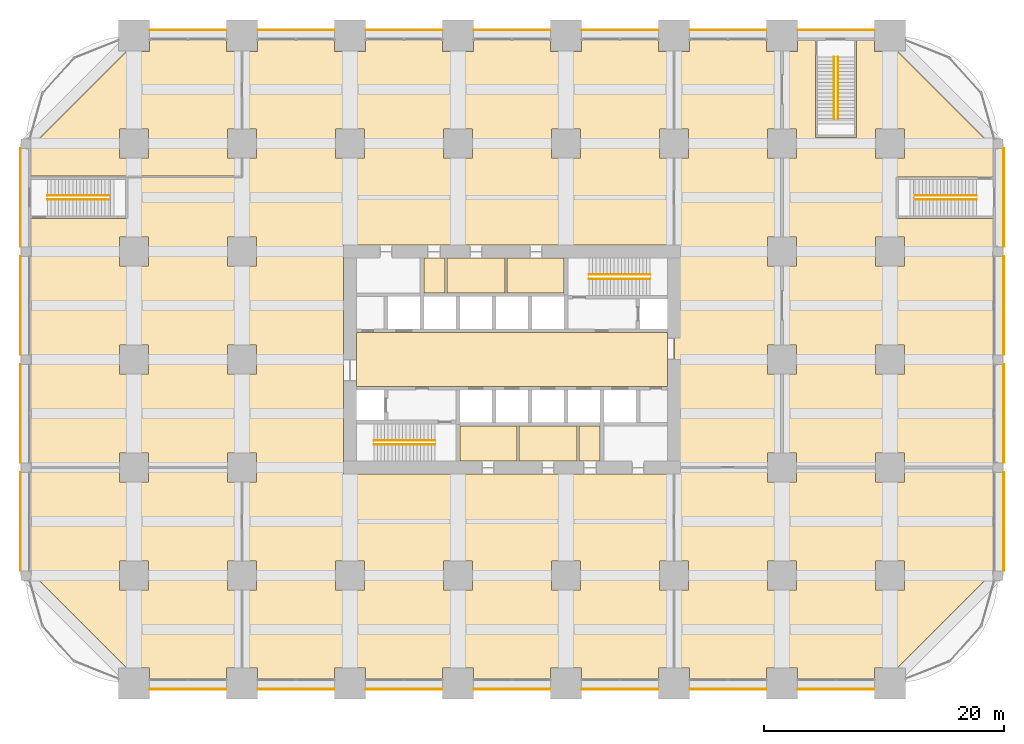
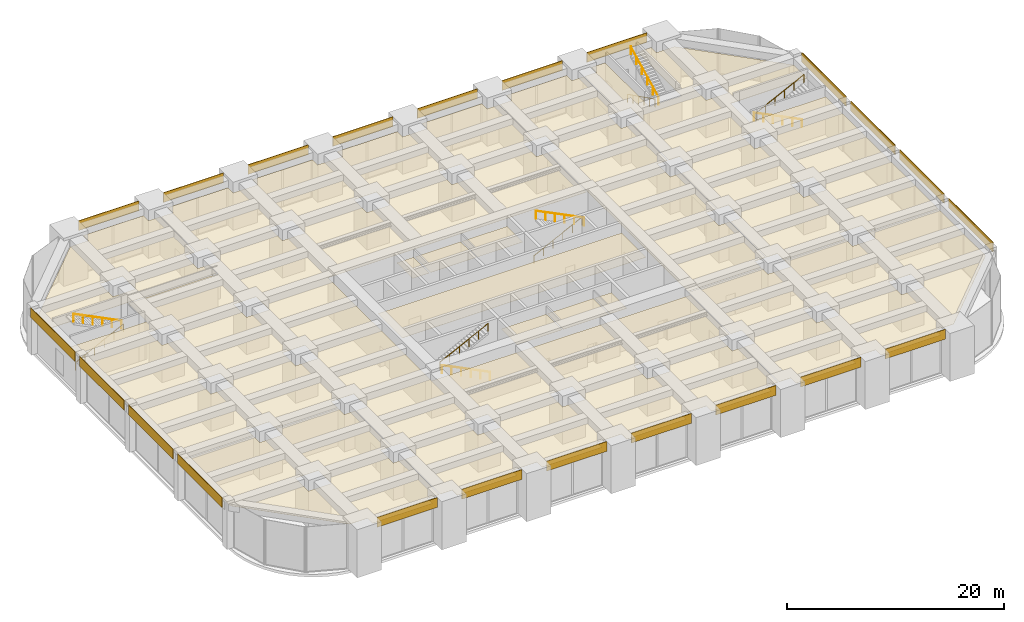
# One storey, part 45 of 45: 35 coverings, 10 railings.
"""IFC4 building model written with IfcOpenShell, lengths in metres."""

from ifc_helpers import new_model, si_unit, direction, frame, frame_2d, origin, origin_2d, place, context, subcontext, project, spatial, polyline, rectangle, circle, outline, extrude, material, layer, layer_set, type_object, element, save


model = new_model("IFC4")

# Units and contexts
model_context = context("Model", 3, precision=1e-05, world=origin(), true_north=direction((0.0, 1.0)))
body_context = subcontext(model_context, "Body", "Model", "MODEL_VIEW")
ifc_project = project(units=[si_unit("LENGTHUNIT", "METRE"), si_unit("AREAUNIT", "SQUARE_METRE"), si_unit("VOLUMEUNIT", "CUBIC_METRE"), si_unit("PLANEANGLEUNIT", "RADIAN"), si_unit("MASSUNIT", "GRAM", prefix="KILO")], contexts=[model_context])

# Site, building, storey
site_placement = place(None, origin())
site = spatial("IfcSite", under=ifc_project, at=site_placement, CompositionType="ELEMENT")
building_placement = place(site_placement, origin())
building = spatial("IfcBuilding", under=site, at=building_placement, Name="Zorevar Civic Tower", CompositionType="ELEMENT")
storey_placement = place(building_placement, frame((0.0, 0.0, 5.39990234375)))
storey = spatial("IfcBuildingStorey", under=building, at=storey_placement, Name="L01", CompositionType="ELEMENT", Elevation=5.39990234375)

# Coverings
ifc_material_1 = material(Name="Perforated black aluminium acoustic panels", Category="aluminium")
ifc_layer_1 = layer(ifc_material_1, 0.0400390625)
ifc_layer_set_1 = layer_set([ifc_layer_1], Name="Acoustic ceiling SC2")
covering_type_1 = type_object("IfcCoveringType", Name="Acoustic ceiling SC2", PredefinedType="CEILING", material=ifc_layer_set_1)
covering_1_placement = place(storey_placement, frame((0.0, 0.0, 4.2001953125)))
element("IfcCovering", 1, at=covering_1_placement, inside=storey, type_object=covering_type_1, Name="Ceiling L01-19", PredefinedType="CEILING", context=body_context, shape_type="SweptSolid", body=[
    extrude(outline(polyline([(55.2099609375, 18.06005859375), (55.2099609375, 19.2099609375), (54.06005859375, 19.2099609375), (54.06005859375, 25.7900390625), (55.2099609375, 25.7900390625), (55.2099609375, 28.2099609375), (54.06005859375, 28.2099609375), (54.06005859375, 34.7900390625), (55.2099609375, 34.7900390625), (55.2099609375, 37.2099609375), (54.06005859375, 37.2099609375), (54.06005859375, 43.7900390625), (55.2099609375, 43.7900390625), (55.2099609375, 46.2099609375), (54.06005859375, 46.2099609375), (54.06005859375, 52.68994140625), (55.31005859375, 52.68994140625), (55.31005859375, 53.64990234375), (56.77490234375, 53.64990234375), (56.77490234375, 45.5), (60.22509765625, 45.5), (60.22509765625, 53.64990234375), (61.68994140625, 53.64990234375), (61.68994140625, 52.68994140625), (63.602783203125, 52.68994140625), (71.590087890625, 44.702880859375), (71.590087890625, 44.590087890625), (71.64990234375, 44.590087890625), (71.64990234375, 42.22509765625), (63.5, 42.22509765625), (63.5, 38.77490234375), (71.64990234375, 38.77490234375), (71.64990234375, 36.409912109375), (71.590087890625, 36.409912109375), (71.590087890625, 35.590087890625), (71.64990234375, 35.590087890625), (71.64990234375, 27.409912109375), (71.590087890625, 27.409912109375), (71.590087890625, 26.590087890625), (71.64990234375, 26.590087890625), (71.64990234375, 18.409912109375), (71.590087890625, 18.409912109375), (71.590087890625, 18.06005859375), (64.2099609375, 18.06005859375), (64.2099609375, 19.2099609375), (61.7900390625, 19.2099609375), (61.7900390625, 18.06005859375), (55.2099609375, 18.06005859375)]), holes=[polyline([(64.2099609375, 28.2099609375), (61.7900390625, 28.2099609375), (61.7900390625, 25.7900390625), (64.2099609375, 25.7900390625), (64.2099609375, 28.2099609375)]), polyline([(64.2099609375, 34.7900390625), (64.2099609375, 37.2099609375), (61.7900390625, 37.2099609375), (61.7900390625, 34.7900390625), (64.2099609375, 34.7900390625)]), polyline([(61.7900390625, 43.7900390625), (64.2099609375, 43.7900390625), (64.2099609375, 46.2099609375), (61.7900390625, 46.2099609375), (61.7900390625, 43.7900390625)])]), origin(), (0.0, 0.0, 1.0), 0.039794921875),
])
covering_2_placement = place(storey_placement, frame((0.0, 0.0, 4.2001953125)))
element("IfcCovering", 2, at=covering_2_placement, inside=storey, type_object=covering_type_1, Name="Ceiling L01-20", PredefinedType="CEILING", context=body_context, shape_type="SweptSolid", body=[
    extrude(outline(polyline([(1.31005859375, 52.68994140625), (1.31005859375, 53.64990234375), (7.68994140625, 53.64990234375), (7.68994140625, 52.68994140625), (8.93994140625, 52.68994140625), (8.93994140625, 46.2099609375), (7.7900390625, 46.2099609375), (7.7900390625, 43.7900390625), (8.93994140625, 43.7900390625), (8.93994140625, 42.284912109375), (-8.64990234375, 42.284912109375), (-8.64990234375, 44.590087890625), (-8.590087890625, 44.590087890625), (-8.590087890625, 44.702880859375), (-0.602783203125, 52.68994140625), (1.31005859375, 52.68994140625)]), holes=[polyline([(1.2099609375, 46.2099609375), (-1.2099609375, 46.2099609375), (-1.2099609375, 43.7900390625), (1.2099609375, 43.7900390625), (1.2099609375, 46.2099609375)])]), origin(), (0.0, 0.0, 1.0), 0.039794921875),
])
covering_3_placement = place(storey_placement, frame((0.0, 0.0, 4.2001953125)))
element("IfcCovering", 3, at=covering_3_placement, inside=storey, type_object=covering_type_1, Name="Ceiling L01-21", PredefinedType="CEILING", context=body_context, shape_type="SweptSolid", body=[
    extrude(outline(polyline([(52.7900390625, 37.2099609375), (52.7900390625, 34.7900390625), (53.93994140625, 34.7900390625), (53.93994140625, 28.2099609375), (52.7900390625, 28.2099609375), (52.7900390625, 25.7900390625), (53.93994140625, 25.7900390625), (53.93994140625, 19.2099609375), (52.7900390625, 19.2099609375), (52.7900390625, 18.06005859375), (45.06005859375, 18.06005859375), (45.06005859375, 43.7900390625), (46.2099609375, 43.7900390625), (46.2099609375, 46.2099609375), (45.06005859375, 46.2099609375), (45.06005859375, 52.68994140625), (46.31005859375, 52.68994140625), (46.31005859375, 53.64990234375), (52.68994140625, 53.64990234375), (52.68994140625, 52.68994140625), (53.93994140625, 52.68994140625), (53.93994140625, 46.2099609375), (52.7900390625, 46.2099609375), (52.7900390625, 43.7900390625), (53.93994140625, 43.7900390625), (53.93994140625, 37.2099609375), (52.7900390625, 37.2099609375)])), origin(), (0.0, 0.0, 1.0), 0.039794921875),
])

# Railings
ifc_material_2 = material(Name="Black steel handrail", Category="steel")
railing_type = type_object("IfcRailingType", Name="Handrail HR1 900", PredefinedType="HANDRAIL", material=ifc_material_2)
railing_1_placement = place(storey_placement, frame((25.080078125, 19.925048828125, 0.150146484375)))
element("IfcRailing", 4, at=railing_1_placement, inside=storey, type_object=railing_type, Name="Handrail HR1 ST1 L01", PredefinedType="HANDRAIL", context=body_context, shape_type="SweptSolid", body=[
    extrude(circle(Radius=0.02392578125, at=origin_2d()), frame((0.0, 0.0, 0.8759765625), z_axis=(-0.894427191, 0.0, 0.4472135955), x_axis=(0.0, -1.0, 0.0)), (0.0, 0.0, 1.0), 5.7021484375),
    extrude(circle(Radius=0.02099609375, at=origin_2d()), origin(), (0.0, 0.0, 1.0), 0.851806640625),
    extrude(circle(Radius=0.02099609375, at=origin_2d()), frame((-1.02001953125, 0.0, 0.510009765625)), (0.0, 0.0, 1.0), 0.851806640625),
    extrude(circle(Radius=0.02099609375, at=origin_2d()), frame((-2.0400390625, 0.0, 1.02001953125)), (0.0, 0.0, 1.0), 0.851806640625),
    extrude(circle(Radius=0.02099609375, at=origin_2d()), frame((-3.06005859375, 0.0, 1.530029296875)), (0.0, 0.0, 1.0), 0.851806640625),
    extrude(circle(Radius=0.02099609375, at=origin_2d()), frame((-4.080078125, 0.0, 2.0400390625)), (0.0, 0.0, 1.0), 0.851806640625),
    extrude(circle(Radius=0.02099609375, at=origin_2d()), frame((-5.10009765625, 0.0, 2.550048828125)), (0.0, 0.0, 1.0), 0.851806640625),
])
for number, where, name in (
    (5, (19.97998046875, 20.27490234375, 2.85009765625), "Handrail HR1 ST1 L01"),
    (6, (37.919921875, 34.074951171875, 0.150146484375), "Handrail HR1 ST2 L01"),
):
    element("IfcRailing", number, at=place(storey_placement, frame(where)), inside=storey, type_object=railing_type, Name=name, PredefinedType="HANDRAIL", context=body_context, shape_type="SweptSolid", body=[
        extrude(circle(Radius=0.02392578125, at=origin_2d()), frame((0.0, 0.0, 0.8759765625), z_axis=(0.894427191, 0.0, 0.4472135955), x_axis=(0.0, 1.0, 0.0)), (0.0, 0.0, 1.0), 5.7021484375),
        extrude(circle(Radius=0.02099609375, at=origin_2d()), origin(), (0.0, 0.0, 1.0), 0.851806640625),
        extrude(circle(Radius=0.02099609375, at=origin_2d()), frame((1.02001953125, 0.0, 0.510009765625)), (0.0, 0.0, 1.0), 0.851806640625),
        extrude(circle(Radius=0.02099609375, at=origin_2d()), frame((2.0400390625, 0.0, 1.02001953125)), (0.0, 0.0, 1.0), 0.851806640625),
        extrude(circle(Radius=0.02099609375, at=origin_2d()), frame((3.06005859375, 0.0, 1.530029296875)), (0.0, 0.0, 1.0), 0.851806640625),
        extrude(circle(Radius=0.02099609375, at=origin_2d()), frame((4.080078125, 0.0, 2.0400390625)), (0.0, 0.0, 1.0), 0.851806640625),
        extrude(circle(Radius=0.02099609375, at=origin_2d()), frame((5.10009765625, 0.0, 2.550048828125)), (0.0, 0.0, 1.0), 0.851806640625),
    ])
railing_2_placement = place(storey_placement, frame((43.02001953125, 33.72509765625, 2.85009765625)))
element("IfcRailing", 7, at=railing_2_placement, inside=storey, type_object=railing_type, Name="Handrail HR1 ST2 L01", PredefinedType="HANDRAIL", context=body_context, shape_type="SweptSolid", body=[
    extrude(circle(Radius=0.02392578125, at=origin_2d()), frame((0.0, 0.0, 0.8759765625), z_axis=(-0.894427191, 0.0, 0.4472135955), x_axis=(0.0, -1.0, 0.0)), (0.0, 0.0, 1.0), 5.7021484375),
    extrude(circle(Radius=0.02099609375, at=origin_2d()), origin(), (0.0, 0.0, 1.0), 0.851806640625),
    extrude(circle(Radius=0.02099609375, at=origin_2d()), frame((-1.02001953125, 0.0, 0.510009765625)), (0.0, 0.0, 1.0), 0.851806640625),
    extrude(circle(Radius=0.02099609375, at=origin_2d()), frame((-2.0400390625, 0.0, 1.02001953125)), (0.0, 0.0, 1.0), 0.851806640625),
    extrude(circle(Radius=0.02099609375, at=origin_2d()), frame((-3.06005859375, 0.0, 1.530029296875)), (0.0, 0.0, 1.0), 0.851806640625),
    extrude(circle(Radius=0.02099609375, at=origin_2d()), frame((-4.080078125, 0.0, 2.0400390625)), (0.0, 0.0, 1.0), 0.851806640625),
    extrude(circle(Radius=0.02099609375, at=origin_2d()), frame((-5.10009765625, 0.0, 2.550048828125)), (0.0, 0.0, 1.0), 0.851806640625),
])
railing_3_placement = place(storey_placement, frame((-7.199951171875, 40.324951171875, 0.150146484375)))
element("IfcRailing", 8, at=railing_3_placement, inside=storey, type_object=railing_type, Name="Handrail HR1 PS1 L01", PredefinedType="HANDRAIL", context=body_context, shape_type="SweptSolid", body=[
    extrude(circle(Radius=0.02392578125, at=origin_2d()), frame((0.0, 0.0, 0.8759765625), z_axis=(0.894418627299, 0.0, 0.447230722492), x_axis=(0.0, 1.0, 0.0)), (0.0, 0.0, 1.0), 5.701904296875),
    extrude(circle(Radius=0.02099609375, at=origin_2d()), origin(), (0.0, 0.0, 1.0), 0.851806640625),
    extrude(circle(Radius=0.02099609375, at=origin_2d()), frame((1.02001953125, 0.0, 0.510009765625)), (0.0, 0.0, 1.0), 0.851806640625),
    extrude(circle(Radius=0.02099609375, at=origin_2d()), frame((2.0400390625, 0.0, 1.02001953125)), (0.0, 0.0, 1.0), 0.851806640625),
    extrude(circle(Radius=0.02099609375, at=origin_2d()), frame((3.059814453125, 0.0, 1.530029296875)), (0.0, 0.0, 1.0), 0.851806640625),
    extrude(circle(Radius=0.02099609375, at=origin_2d()), frame((4.079833984375, 0.0, 2.0400390625)), (0.0, 0.0, 1.0), 0.851806640625),
    extrude(circle(Radius=0.02099609375, at=origin_2d()), frame((5.099853515625, 0.0, 2.550048828125)), (0.0, 0.0, 1.0), 0.851806640625),
])
for number, where, name in (
    (9, (-2.10009765625, 40.675048828125, 2.85009765625), "Handrail HR1 PS1 L01"),
    (10, (70.199951171875, 40.675048828125, 0.150146484375), "Handrail HR1 PS2 L01"),
):
    element("IfcRailing", number, at=place(storey_placement, frame(where)), inside=storey, type_object=railing_type, Name=name, PredefinedType="HANDRAIL", context=body_context, shape_type="SweptSolid", body=[
        extrude(circle(Radius=0.02392578125, at=origin_2d()), frame((0.0, 0.0, 0.8759765625), z_axis=(-0.894418627299, 0.0, 0.447230722492), x_axis=(0.0, -1.0, 0.0)), (0.0, 0.0, 1.0), 5.701904296875),
        extrude(circle(Radius=0.02099609375, at=origin_2d()), origin(), (0.0, 0.0, 1.0), 0.851806640625),
        extrude(circle(Radius=0.02099609375, at=origin_2d()), frame((-1.02001953125, 0.0, 0.510009765625)), (0.0, 0.0, 1.0), 0.851806640625),
        extrude(circle(Radius=0.02099609375, at=origin_2d()), frame((-2.0400390625, 0.0, 1.02001953125)), (0.0, 0.0, 1.0), 0.851806640625),
        extrude(circle(Radius=0.02099609375, at=origin_2d()), frame((-3.059814453125, 0.0, 1.530029296875)), (0.0, 0.0, 1.0), 0.851806640625),
        extrude(circle(Radius=0.02099609375, at=origin_2d()), frame((-4.079833984375, 0.0, 2.0400390625)), (0.0, 0.0, 1.0), 0.851806640625),
        extrude(circle(Radius=0.02099609375, at=origin_2d()), frame((-5.099853515625, 0.0, 2.550048828125)), (0.0, 0.0, 1.0), 0.851806640625),
    ])
railing_4_placement = place(storey_placement, frame((65.10009765625, 40.324951171875, 2.85009765625)))
element("IfcRailing", 11, at=railing_4_placement, inside=storey, type_object=railing_type, Name="Handrail HR1 PS2 L01", PredefinedType="HANDRAIL", context=body_context, shape_type="SweptSolid", body=[
    extrude(circle(Radius=0.02392578125, at=origin_2d()), frame((0.0, 0.0, 0.8759765625), z_axis=(0.894418627299, 0.0, 0.447230722492), x_axis=(0.0, 1.0, 0.0)), (0.0, 0.0, 1.0), 5.701904296875),
    extrude(circle(Radius=0.02099609375, at=origin_2d()), origin(), (0.0, 0.0, 1.0), 0.851806640625),
    extrude(circle(Radius=0.02099609375, at=origin_2d()), frame((1.02001953125, 0.0, 0.510009765625)), (0.0, 0.0, 1.0), 0.851806640625),
    extrude(circle(Radius=0.02099609375, at=origin_2d()), frame((2.0400390625, 0.0, 1.02001953125)), (0.0, 0.0, 1.0), 0.851806640625),
    extrude(circle(Radius=0.02099609375, at=origin_2d()), frame((3.059814453125, 0.0, 1.530029296875)), (0.0, 0.0, 1.0), 0.851806640625),
    extrude(circle(Radius=0.02099609375, at=origin_2d()), frame((4.079833984375, 0.0, 2.0400390625)), (0.0, 0.0, 1.0), 0.851806640625),
    extrude(circle(Radius=0.02099609375, at=origin_2d()), frame((5.099853515625, 0.0, 2.550048828125)), (0.0, 0.0, 1.0), 0.851806640625),
])
railing_5_placement = place(storey_placement, frame((58.324951171875, 52.199951171875, 0.150146484375)))
element("IfcRailing", 12, at=railing_5_placement, inside=storey, type_object=railing_type, Name="Handrail HR1 PS3 L01", PredefinedType="HANDRAIL", context=body_context, shape_type="SweptSolid", body=[
    extrude(circle(Radius=0.02392578125, at=origin_2d()), frame((0.0, 0.0, 0.8759765625), z_axis=(0.0, -0.894418627299, 0.447230722492), x_axis=(1.0, 0.0, 0.0)), (0.0, 0.0, 1.0), 5.701904296875),
    extrude(circle(Radius=0.02099609375, at=origin_2d()), origin(), (0.0, 0.0, 1.0), 0.851806640625),
    extrude(circle(Radius=0.02099609375, at=origin_2d()), frame((0.0, -1.02001953125, 0.510009765625)), (0.0, 0.0, 1.0), 0.851806640625),
    extrude(circle(Radius=0.02099609375, at=origin_2d()), frame((0.0, -2.0400390625, 1.02001953125)), (0.0, 0.0, 1.0), 0.851806640625),
    extrude(circle(Radius=0.02099609375, at=origin_2d()), frame((0.0, -3.059814453125, 1.530029296875)), (0.0, 0.0, 1.0), 0.851806640625),
    extrude(circle(Radius=0.02099609375, at=origin_2d()), frame((0.0, -4.079833984375, 2.0400390625)), (0.0, 0.0, 1.0), 0.851806640625),
    extrude(circle(Radius=0.02099609375, at=origin_2d()), frame((0.0, -5.099853515625, 2.550048828125)), (0.0, 0.0, 1.0), 0.851806640625),
])
railing_6_placement = place(storey_placement, frame((58.675048828125, 47.10009765625, 2.85009765625)))
element("IfcRailing", 13, at=railing_6_placement, inside=storey, type_object=railing_type, Name="Handrail HR1 PS3 L01", PredefinedType="HANDRAIL", context=body_context, shape_type="SweptSolid", body=[
    extrude(circle(Radius=0.02392578125, at=origin_2d()), frame((0.0, 0.0, 0.8759765625), z_axis=(0.0, 0.894418627299, 0.447230722492), x_axis=(-1.0, 0.0, 0.0)), (0.0, 0.0, 1.0), 5.701904296875),
    extrude(circle(Radius=0.02099609375, at=origin_2d()), origin(), (0.0, 0.0, 1.0), 0.851806640625),
    extrude(circle(Radius=0.02099609375, at=origin_2d()), frame((0.0, 1.02001953125, 0.510009765625)), (0.0, 0.0, 1.0), 0.851806640625),
    extrude(circle(Radius=0.02099609375, at=origin_2d()), frame((0.0, 2.0400390625, 1.02001953125)), (0.0, 0.0, 1.0), 0.851806640625),
    extrude(circle(Radius=0.02099609375, at=origin_2d()), frame((0.0, 3.059814453125, 1.530029296875)), (0.0, 0.0, 1.0), 0.851806640625),
    extrude(circle(Radius=0.02099609375, at=origin_2d()), frame((0.0, 4.079833984375, 2.0400390625)), (0.0, 0.0, 1.0), 0.851806640625),
    extrude(circle(Radius=0.02099609375, at=origin_2d()), frame((0.0, 5.099853515625, 2.550048828125)), (0.0, 0.0, 1.0), 0.851806640625),
])

# Coverings
ifc_material_3 = material(Name="Moisture-resistant gypsum board")
ifc_layer_2 = layer(ifc_material_3, 0.012451171875)
ifc_layer_set_2 = layer_set([ifc_layer_2], Name="Moisture-resistant ceiling SC3")
covering_type_2 = type_object("IfcCoveringType", Name="Moisture-resistant ceiling SC3", PredefinedType="CEILING", material=ifc_layer_set_2)
covering_4_placement = place(storey_placement, frame((0.0, 0.0, 4.2001953125)))
element("IfcCovering", 14, at=covering_4_placement, inside=storey, type_object=covering_type_2, Name="Ceiling L01-05", PredefinedType="CEILING", context=body_context, shape_type="SweptSolid", body=[
    extrude(outline(polyline([(31.925048828125, 18.550048828125), (31.925048828125, 21.449951171875), (27.14990234375, 21.449951171875), (27.14990234375, 18.550048828125), (31.925048828125, 18.550048828125)])), origin(), (0.0, 0.0, 1.0), 0.012451171875),
])
covering_5_placement = place(storey_placement, frame((0.0, 0.0, 4.2001953125)))
element("IfcCovering", 15, at=covering_5_placement, inside=storey, type_object=covering_type_2, Name="Ceiling L01-06", PredefinedType="CEILING", context=body_context, shape_type="SweptSolid", body=[
    extrude(outline(polyline([(35.85009765625, 32.550048828125), (35.85009765625, 35.449951171875), (31.074951171875, 35.449951171875), (31.074951171875, 32.550048828125), (35.85009765625, 32.550048828125)])), origin(), (0.0, 0.0, 1.0), 0.012451171875),
])
covering_6_placement = place(storey_placement, frame((0.0, 0.0, 4.2001953125)))
element("IfcCovering", 16, at=covering_6_placement, inside=storey, type_object=covering_type_2, Name="Ceiling L01-08", PredefinedType="CEILING", context=body_context, shape_type="SweptSolid", body=[
    extrude(outline(polyline([(30.925048828125, 32.550048828125), (30.925048828125, 35.449951171875), (26.074951171875, 35.449951171875), (26.074951171875, 32.550048828125), (30.925048828125, 32.550048828125)])), origin(), (0.0, 0.0, 1.0), 0.012451171875),
])
covering_7_placement = place(storey_placement, frame((0.0, 0.0, 4.2001953125)))
element("IfcCovering", 17, at=covering_7_placement, inside=storey, type_object=covering_type_2, Name="Ceiling L01-09", PredefinedType="CEILING", context=body_context, shape_type="SweptSolid", body=[
    extrude(outline(polyline([(38.85009765625, 18.550048828125), (38.85009765625, 21.449951171875), (37.074951171875, 21.449951171875), (37.074951171875, 18.550048828125), (38.85009765625, 18.550048828125)])), origin(), (0.0, 0.0, 1.0), 0.012451171875),
])
covering_8_placement = place(storey_placement, frame((0.0, 0.0, 4.2001953125)))
element("IfcCovering", 18, at=covering_8_placement, inside=storey, type_object=covering_type_2, Name="Ceiling L01-10", PredefinedType="CEILING", context=body_context, shape_type="SweptSolid", body=[
    extrude(outline(polyline([(25.925048828125, 32.550048828125), (25.925048828125, 35.449951171875), (24.14990234375, 35.449951171875), (24.14990234375, 32.550048828125), (25.925048828125, 32.550048828125)])), origin(), (0.0, 0.0, 1.0), 0.012451171875),
])
ifc_material_4 = material(Name="Black anodised aluminium spandrel panel", Category="aluminium")
ifc_layer_3 = layer(ifc_material_4, 0.050048828125)
ifc_layer_set_3 = layer_set([ifc_layer_3], Name="Spandrel cladding SP1")
covering_type_3 = type_object("IfcCoveringType", Name="Spandrel cladding SP1", PredefinedType="CLADDING", material=ifc_layer_set_3)
for number, where, z_axis, x_axis, name in (
    (19, (1.300048828125, -0.47509765625, 4.300048828125), (0.0, 0.0, 1.0), (1.0, 0.0, 0.0), "Spandrel cladding L02"),
    (20, (10.300048828125, -0.47509765625, 4.300048828125), (0.0, 0.0, 1.0), (1.0, 0.0, 0.0), "Spandrel cladding L02"),
    (21, (19.300048828125, -0.47509765625, 4.300048828125), (0.0, 0.0, 1.0), (1.0, 0.0, 0.0), "Spandrel cladding L02"),
    (22, (28.300048828125, -0.47509765625, 4.300048828125), (0.0, 0.0, 1.0), (1.0, 0.0, 0.0), "Spandrel cladding L02"),
    (23, (37.300048828125, -0.47509765625, 4.300048828125), (0.0, 0.0, 1.0), (1.0, 0.0, 0.0), "Spandrel cladding L02"),
    (24, (46.300048828125, -0.47509765625, 4.300048828125), (0.0, 0.0, 1.0), (1.0, 0.0, 0.0), "Spandrel cladding L02"),
    (25, (55.300048828125, -0.47509765625, 4.300048828125), (0.0, 0.0, 1.0), (1.0, 0.0, 0.0), "Spandrel cladding L02"),
    (26, (1.300048828125, 54.47509765625, 4.300048828125), (0.0, 0.0, 1.0), (1.0, 0.0, 0.0), "Spandrel cladding L02"),
    (27, (10.300048828125, 54.47509765625, 4.300048828125), (0.0, 0.0, 1.0), (1.0, 0.0, 0.0), "Spandrel cladding L02"),
    (28, (19.300048828125, 54.47509765625, 4.300048828125), (0.0, 0.0, 1.0), (1.0, 0.0, 0.0), "Spandrel cladding L02"),
    (29, (28.300048828125, 54.47509765625, 4.300048828125), (0.0, 0.0, 1.0), (1.0, 0.0, 0.0), "Spandrel cladding L02"),
    (30, (37.300048828125, 54.47509765625, 4.300048828125), (0.0, 0.0, 1.0), (1.0, 0.0, 0.0), "Spandrel cladding L02"),
    (31, (46.300048828125, 54.47509765625, 4.300048828125), (0.0, 0.0, 1.0), (1.0, 0.0, 0.0), "Spandrel cladding L02"),
    (32, (55.300048828125, 54.47509765625, 4.300048828125), (0.0, 0.0, 1.0), (1.0, 0.0, 0.0), "Spandrel cladding L02"),
):
    element("IfcCovering", number, at=place(storey_placement, frame(where, z_axis=z_axis, x_axis=x_axis)), inside=storey, type_object=covering_type_3, Name=name, PredefinedType="CLADDING", context=body_context, shape_type="SweptSolid", body=[
        extrude(rectangle(XDim=6.39990234375, YDim=0.050048828125, at=frame_2d((3.199951171875, 0.0))), origin(), (0.0, 0.0, 1.0), 1.10009765625),
    ])
for number, where, z_axis, x_axis, name in (
    (33, (-9.47509765625, 9.39990234375, 4.300048828125), (0.0, 0.0, 1.0), (0.0, 1.0, 0.0), "Spandrel cladding L02"),
    (34, (-9.47509765625, 18.39990234375, 4.300048828125), (0.0, 0.0, 1.0), (0.0, 1.0, 0.0), "Spandrel cladding L02"),
    (35, (-9.47509765625, 27.39990234375, 4.300048828125), (0.0, 0.0, 1.0), (0.0, 1.0, 0.0), "Spandrel cladding L02"),
    (36, (-9.47509765625, 36.39990234375, 4.300048828125), (0.0, 0.0, 1.0), (0.0, 1.0, 0.0), "Spandrel cladding L02"),
    (37, (72.47509765625, 9.39990234375, 4.300048828125), (0.0, 0.0, 1.0), (0.0, 1.0, 0.0), "Spandrel cladding L02"),
    (38, (72.47509765625, 18.39990234375, 4.300048828125), (0.0, 0.0, 1.0), (0.0, 1.0, 0.0), "Spandrel cladding L02"),
    (39, (72.47509765625, 27.39990234375, 4.300048828125), (0.0, 0.0, 1.0), (0.0, 1.0, 0.0), "Spandrel cladding L02"),
    (40, (72.47509765625, 36.39990234375, 4.300048828125), (0.0, 0.0, 1.0), (0.0, 1.0, 0.0), "Spandrel cladding L02"),
):
    element("IfcCovering", number, at=place(storey_placement, frame(where, z_axis=z_axis, x_axis=x_axis)), inside=storey, type_object=covering_type_3, Name=name, PredefinedType="CLADDING", context=body_context, shape_type="SweptSolid", body=[
        extrude(rectangle(XDim=8.2001953125, YDim=0.050048828125, at=frame_2d((4.10009765625, 0.0))), origin(), (0.0, 0.0, 1.0), 1.10009765625),
    ])
ifc_material_5 = material(Name="Mineral fibre tiles on a concealed grid")
ifc_layer_4 = layer(ifc_material_5, 0.02001953125)
ifc_layer_set_4 = layer_set([ifc_layer_4], Name="Suspended ceiling SC1")
covering_type_4 = type_object("IfcCoveringType", Name="Suspended ceiling SC1", PredefinedType="CEILING", material=ifc_layer_set_4)
covering_9_placement = place(storey_placement, frame((0.0, 0.0, 4.2001953125)))
element("IfcCovering", 41, at=covering_9_placement, inside=storey, type_object=covering_type_4, Name="Ceiling L01-07", PredefinedType="CEILING", context=body_context, shape_type="SweptSolid", body=[
    extrude(outline(polyline([(36.925048828125, 18.550048828125), (36.925048828125, 21.449951171875), (32.074951171875, 21.449951171875), (32.074951171875, 18.550048828125), (36.925048828125, 18.550048828125)])), origin(), (0.0, 0.0, 1.0), 0.02001953125),
])
covering_10_placement = place(storey_placement, frame((0.0, 0.0, 4.2001953125)))
element("IfcCovering", 42, at=covering_10_placement, inside=storey, type_object=covering_type_4, Name="Ceiling L01-15", PredefinedType="CEILING", context=body_context, shape_type="SweptSolid", body=[
    extrude(outline(polyline([(44.449951171875, 24.75), (44.449951171875, 29.25), (18.550048828125, 29.25), (18.550048828125, 24.75), (44.449951171875, 24.75)])), origin(), (0.0, 0.0, 1.0), 0.02001953125),
])
covering_11_placement = place(storey_placement, frame((0.0, 0.0, 4.2001953125)))
element("IfcCovering", 43, at=covering_11_placement, inside=storey, type_object=covering_type_4, Name="Ceiling L01-22", PredefinedType="CEILING", context=body_context, shape_type="SweptSolid", body=[
    extrude(outline(polyline([(46.31005859375, 1.31005859375), (45.06005859375, 1.31005859375), (45.06005859375, 7.7900390625), (46.2099609375, 7.7900390625), (46.2099609375, 10.2099609375), (45.06005859375, 10.2099609375), (45.06005859375, 17.93994140625), (52.7900390625, 17.93994140625), (52.7900390625, 16.7900390625), (55.2099609375, 16.7900390625), (55.2099609375, 17.93994140625), (61.7900390625, 17.93994140625), (61.7900390625, 16.7900390625), (64.2099609375, 16.7900390625), (64.2099609375, 17.93994140625), (71.590087890625, 17.93994140625), (71.590087890625, 17.590087890625), (71.64990234375, 17.590087890625), (71.64990234375, 9.409912109375), (71.590087890625, 9.409912109375), (71.590087890625, 9.297119140625), (63.602783203125, 1.31005859375), (61.68994140625, 1.31005859375), (61.68994140625, 0.35009765625), (55.31005859375, 0.35009765625), (55.31005859375, 1.31005859375), (52.68994140625, 1.31005859375), (52.68994140625, 0.35009765625), (46.31005859375, 0.35009765625), (46.31005859375, 1.31005859375)]), holes=[polyline([(55.2099609375, 7.7900390625), (55.2099609375, 10.2099609375), (52.7900390625, 10.2099609375), (52.7900390625, 7.7900390625), (55.2099609375, 7.7900390625)]), polyline([(64.2099609375, 10.2099609375), (61.7900390625, 10.2099609375), (61.7900390625, 7.7900390625), (64.2099609375, 7.7900390625), (64.2099609375, 10.2099609375)])]), origin(), (0.0, 0.0, 1.0), 0.02001953125),
])
covering_12_placement = place(storey_placement, frame((0.0, 0.0, 4.2001953125)))
element("IfcCovering", 44, at=covering_12_placement, inside=storey, type_object=covering_type_4, Name="Ceiling L01-23", PredefinedType="CEILING", context=body_context, shape_type="SweptSolid", body=[
    extrude(outline(polyline([(-8.590087890625, 17.93994140625), (-1.2099609375, 17.93994140625), (-1.2099609375, 16.7900390625), (1.2099609375, 16.7900390625), (1.2099609375, 17.93994140625), (7.7900390625, 17.93994140625), (7.7900390625, 16.7900390625), (8.93994140625, 16.7900390625), (8.93994140625, 10.2099609375), (7.7900390625, 10.2099609375), (7.7900390625, 7.7900390625), (8.93994140625, 7.7900390625), (8.93994140625, 1.31005859375), (7.68994140625, 1.31005859375), (7.68994140625, 0.35009765625), (1.31005859375, 0.35009765625), (1.31005859375, 1.31005859375), (-0.602783203125, 1.31005859375), (-8.590087890625, 9.297119140625), (-8.590087890625, 9.409912109375), (-8.64990234375, 9.409912109375), (-8.64990234375, 17.590087890625), (-8.590087890625, 17.590087890625), (-8.590087890625, 17.93994140625)]), holes=[polyline([(-1.2099609375, 10.2099609375), (-1.2099609375, 7.7900390625), (1.2099609375, 7.7900390625), (1.2099609375, 10.2099609375), (-1.2099609375, 10.2099609375)])]), origin(), (0.0, 0.0, 1.0), 0.02001953125),
])
covering_13_placement = place(storey_placement, frame((0.0, 0.0, 4.2001953125)))
element("IfcCovering", 45, at=covering_13_placement, inside=storey, type_object=covering_type_4, Name="Ceiling L01-24", PredefinedType="CEILING", context=body_context, shape_type="SweptSolid", body=[
    extrude(outline(polyline([(28.31005859375, 1.31005859375), (25.68994140625, 1.31005859375), (25.68994140625, 0.35009765625), (19.31005859375, 0.35009765625), (19.31005859375, 1.31005859375), (16.68994140625, 1.31005859375), (16.68994140625, 0.35009765625), (10.31005859375, 0.35009765625), (10.31005859375, 1.31005859375), (9.06005859375, 1.31005859375), (9.06005859375, 7.7900390625), (10.2099609375, 7.7900390625), (10.2099609375, 10.2099609375), (9.06005859375, 10.2099609375), (9.06005859375, 16.7900390625), (10.2099609375, 16.7900390625), (10.2099609375, 19.2099609375), (7.7900390625, 19.2099609375), (7.7900390625, 18.06005859375), (1.2099609375, 18.06005859375), (1.2099609375, 19.2099609375), (-1.2099609375, 19.2099609375), (-1.2099609375, 18.06005859375), (-8.590087890625, 18.06005859375), (-8.590087890625, 18.409912109375), (-8.64990234375, 18.409912109375), (-8.64990234375, 26.590087890625), (-8.590087890625, 26.590087890625), (-8.590087890625, 27.409912109375), (-8.64990234375, 27.409912109375), (-8.64990234375, 35.590087890625), (-8.590087890625, 35.590087890625), (-8.590087890625, 36.409912109375), (-8.64990234375, 36.409912109375), (-8.64990234375, 38.77490234375), (-0.5, 38.77490234375), (-0.5, 42.1650390625), (9.06005859375, 42.1650390625), (9.06005859375, 43.7900390625), (10.2099609375, 43.7900390625), (10.2099609375, 46.2099609375), (9.06005859375, 46.2099609375), (9.06005859375, 52.68994140625), (10.31005859375, 52.68994140625), (10.31005859375, 53.64990234375), (16.68994140625, 53.64990234375), (16.68994140625, 52.68994140625), (19.31005859375, 52.68994140625), (19.31005859375, 53.64990234375), (25.68994140625, 53.64990234375), (25.68994140625, 52.68994140625), (28.31005859375, 52.68994140625), (28.31005859375, 53.64990234375), (34.68994140625, 53.64990234375), (34.68994140625, 52.68994140625), (37.31005859375, 52.68994140625), (37.31005859375, 53.64990234375), (43.68994140625, 53.64990234375), (43.68994140625, 52.68994140625), (44.93994140625, 52.68994140625), (44.93994140625, 46.2099609375), (43.7900390625, 46.2099609375), (43.7900390625, 43.7900390625), (44.93994140625, 43.7900390625), (44.93994140625, 36.550048828125), (17.449951171875, 36.550048828125), (17.449951171875, 17.449951171875), (44.93994140625, 17.449951171875), (44.93994140625, 10.2099609375), (43.7900390625, 10.2099609375), (43.7900390625, 7.7900390625), (44.93994140625, 7.7900390625), (44.93994140625, 1.31005859375), (43.68994140625, 1.31005859375), (43.68994140625, 0.35009765625), (37.31005859375, 0.35009765625), (37.31005859375, 1.31005859375), (34.68994140625, 1.31005859375), (34.68994140625, 0.35009765625), (28.31005859375, 0.35009765625), (28.31005859375, 1.31005859375)]), holes=[polyline([(1.2099609375, 28.2099609375), (-1.2099609375, 28.2099609375), (-1.2099609375, 25.7900390625), (1.2099609375, 25.7900390625), (1.2099609375, 28.2099609375)]), polyline([(1.2099609375, 34.7900390625), (1.2099609375, 37.2099609375), (-1.2099609375, 37.2099609375), (-1.2099609375, 34.7900390625), (1.2099609375, 34.7900390625)]), polyline([(10.2099609375, 25.7900390625), (10.2099609375, 28.2099609375), (7.7900390625, 28.2099609375), (7.7900390625, 25.7900390625), (10.2099609375, 25.7900390625)]), polyline([(7.7900390625, 34.7900390625), (10.2099609375, 34.7900390625), (10.2099609375, 37.2099609375), (7.7900390625, 37.2099609375), (7.7900390625, 34.7900390625)]), polyline([(16.7900390625, 7.7900390625), (19.2099609375, 7.7900390625), (19.2099609375, 10.2099609375), (16.7900390625, 10.2099609375), (16.7900390625, 7.7900390625)]), polyline([(16.7900390625, 46.2099609375), (16.7900390625, 43.7900390625), (19.2099609375, 43.7900390625), (19.2099609375, 46.2099609375), (16.7900390625, 46.2099609375)]), polyline([(25.7900390625, 7.7900390625), (28.2099609375, 7.7900390625), (28.2099609375, 10.2099609375), (25.7900390625, 10.2099609375), (25.7900390625, 7.7900390625)]), polyline([(25.7900390625, 46.2099609375), (25.7900390625, 43.7900390625), (28.2099609375, 43.7900390625), (28.2099609375, 46.2099609375), (25.7900390625, 46.2099609375)]), polyline([(34.7900390625, 7.7900390625), (37.2099609375, 7.7900390625), (37.2099609375, 10.2099609375), (34.7900390625, 10.2099609375), (34.7900390625, 7.7900390625)]), polyline([(34.7900390625, 46.2099609375), (34.7900390625, 43.7900390625), (37.2099609375, 43.7900390625), (37.2099609375, 46.2099609375), (34.7900390625, 46.2099609375)])]), origin(), (0.0, 0.0, 1.0), 0.02001953125),
])

save(model, "model.ifc")
